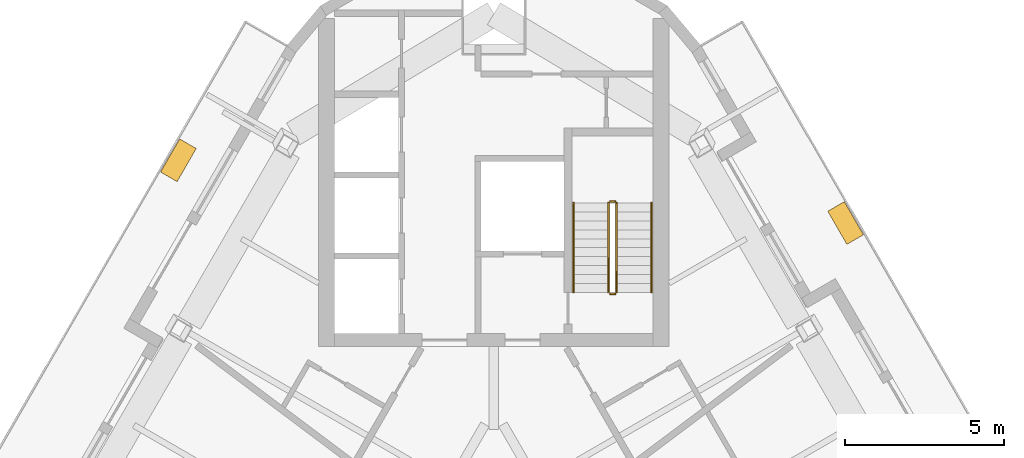
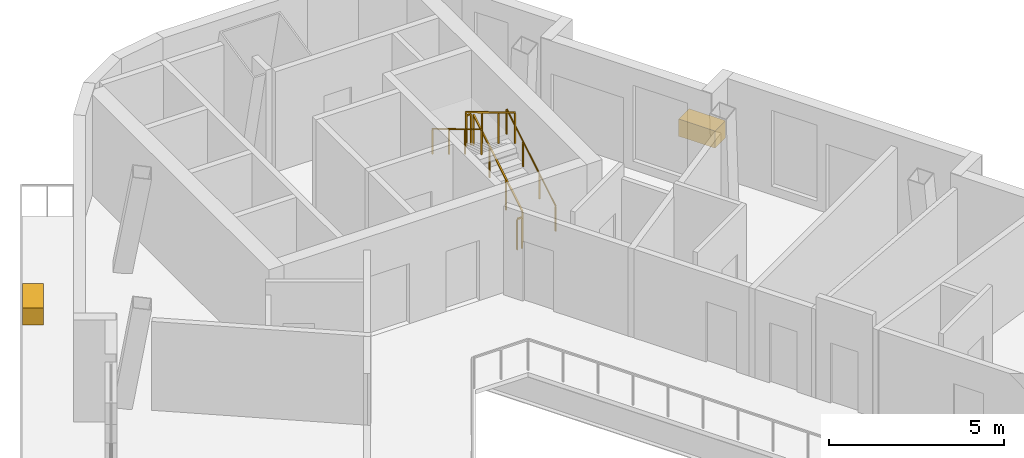
# One storey, part 11 of 11: 6 railings, 2 coverings.
"""IFC4 building model written with IfcOpenShell, lengths in metres."""

from ifc_helpers import new_model, si_unit, direction, frame, origin, origin_2d, place, context, subcontext, project, spatial, rectangle, circle, extrude, material, type_object, element, save


model = new_model("IFC4")

# Units and contexts
model_context = context("Model", 3, precision=1e-05, world=origin(), true_north=direction((0.0, 1.0)))
body_context = subcontext(model_context, "Body", "Model", "MODEL_VIEW")
ifc_project = project(units=[si_unit("LENGTHUNIT", "METRE"), si_unit("AREAUNIT", "SQUARE_METRE"), si_unit("VOLUMEUNIT", "CUBIC_METRE"), si_unit("PLANEANGLEUNIT", "RADIAN"), si_unit("MASSUNIT", "GRAM", prefix="KILO")], contexts=[model_context])

# Site, building, storey
site_placement = place(None, origin())
site = spatial("IfcSite", under=ifc_project, at=site_placement, CompositionType="ELEMENT")
building_placement = place(site_placement, origin())
building = spatial("IfcBuilding", under=site, at=building_placement, Name="Apuvela Tower Hotel", CompositionType="ELEMENT")
storey_placement = place(building_placement, frame((0.0, 0.0, 309.60009765625)))
storey = spatial("IfcBuildingStorey", under=building, at=storey_placement, Name="L77", CompositionType="ELEMENT", Elevation=309.60009765625)

# Railings
ifc_material_1 = material(Name="Steel S275 balustrade", Category="steel")
railing_type_1 = type_object("IfcRailingType", Name="COR-GUARD-1100", PredefinedType="GUARDRAIL", material=ifc_material_1)
railing_1_placement = place(storey_placement, frame((3.85009765625, 14.60009765625, 0.16796875)))
element("IfcRailing", 1, at=railing_1_placement, inside=storey, type_object=railing_type_1, Name="L77 ST1 stair guard 1", PredefinedType="GUARDRAIL", context=body_context, shape_type="SweptSolid", body=[
    extrude(rectangle(XDim=0.048095703125, YDim=0.048095703125, at=origin_2d()), frame((0.0, 0.0, 1.076171875), z_axis=(0.0, 0.857222391501, 0.514946377315), x_axis=(-1.0, 0.0, 0.0)), (0.0, 0.0, 1.0), 3.26611328125),
    extrude(rectangle(XDim=0.0419921875, YDim=0.0419921875, at=origin_2d()), origin(), (0.0, 0.0, 1.0), 1.052001953125),
    extrude(rectangle(XDim=0.0419921875, YDim=0.0419921875, at=origin_2d()), frame((0.0, 0.933349609375, 0.560546875)), (0.0, 0.0, 1.0), 1.052001953125),
    extrude(rectangle(XDim=0.0419921875, YDim=0.0419921875, at=origin_2d()), frame((0.0, 1.866455078125, 1.121337890625)), (0.0, 0.0, 1.0), 1.052001953125),
    extrude(rectangle(XDim=0.0419921875, YDim=0.0419921875, at=origin_2d()), frame((0.0, 2.7998046875, 1.681884765625)), (0.0, 0.0, 1.0), 1.052001953125),
])
railing_2_placement = place(storey_placement, frame((3.800048828125, 17.449951171875, 1.849853515625)))
element("IfcRailing", 2, at=railing_2_placement, inside=storey, type_object=railing_type_1, Name="L77 ST1 stair guard 2", PredefinedType="GUARDRAIL", context=body_context, shape_type="SweptSolid", body=[
    extrude(rectangle(XDim=0.048095703125, YDim=0.048095703125, at=origin_2d()), frame((0.0, 0.0, 1.076171875), z_axis=(-1.0, 0.0, 0.0), x_axis=(0.0, -1.0, 0.0)), (0.0, 0.0, 1.0), 0.150146484375),
    extrude(rectangle(XDim=0.0419921875, YDim=0.0419921875, at=origin_2d()), origin(), (0.0, 0.0, 1.0), 1.052001953125),
    extrude(rectangle(XDim=0.0419921875, YDim=0.0419921875, at=origin_2d()), frame((-0.150146484375, 0.0, 0.0)), (0.0, 0.0, 1.0), 1.052001953125),
])
railing_3_placement = place(storey_placement, frame((3.60009765625, 17.39990234375, 2.01806640625)))
element("IfcRailing", 3, at=railing_3_placement, inside=storey, type_object=railing_type_1, Name="L77 ST1 stair guard 3", PredefinedType="GUARDRAIL", context=body_context, shape_type="SweptSolid", body=[
    extrude(rectangle(XDim=0.048095703125, YDim=0.048095703125, at=origin_2d()), frame((0.0, 0.0, 1.076171875), z_axis=(0.0, -0.857222391501, 0.514946377315), x_axis=(1.0, 0.0, 0.0)), (0.0, 0.0, 1.0), 3.26611328125),
    extrude(rectangle(XDim=0.0419921875, YDim=0.0419921875, at=origin_2d()), origin(), (0.0, 0.0, 1.0), 1.052001953125),
    extrude(rectangle(XDim=0.0419921875, YDim=0.0419921875, at=origin_2d()), frame((0.0, -0.933349609375, 0.560546875)), (0.0, 0.0, 1.0), 1.052001953125),
    extrude(rectangle(XDim=0.0419921875, YDim=0.0419921875, at=origin_2d()), frame((0.0, -1.866455078125, 1.121337890625)), (0.0, 0.0, 1.0), 1.052001953125),
    extrude(rectangle(XDim=0.0419921875, YDim=0.0419921875, at=origin_2d()), frame((0.0, -2.7998046875, 1.681884765625)), (0.0, 0.0, 1.0), 1.052001953125),
])
railing_4_placement = place(storey_placement, frame((3.800048828125, 14.550048828125, 0.0)))
element("IfcRailing", 4, at=railing_4_placement, inside=storey, type_object=railing_type_1, Name="L77 ST1 stair guard 4", PredefinedType="GUARDRAIL", context=body_context, shape_type="SweptSolid", body=[
    extrude(rectangle(XDim=0.048095703125, YDim=0.048095703125, at=origin_2d()), frame((0.0, 0.0, 1.076171875), z_axis=(-1.0, 0.0, 0.0), x_axis=(0.0, -1.0, 0.0)), (0.0, 0.0, 1.0), 0.150146484375),
    extrude(rectangle(XDim=0.0419921875, YDim=0.0419921875, at=origin_2d()), origin(), (0.0, 0.0, 1.0), 1.052001953125),
    extrude(rectangle(XDim=0.0419921875, YDim=0.0419921875, at=origin_2d()), frame((-0.150146484375, 0.0, 0.0)), (0.0, 0.0, 1.0), 1.052001953125),
])
ifc_material_2 = material(Name="Stainless steel 316 handrail", Category="steel")
railing_type_2 = type_object("IfcRailingType", Name="COR-HANDRAIL-900", PredefinedType="HANDRAIL", material=ifc_material_2)
railing_5_placement = place(storey_placement, frame((4.949951171875, 14.60009765625, 0.16796875)))
element("IfcRailing", 5, at=railing_5_placement, inside=storey, type_object=railing_type_2, Name="L77 ST1 stair handrail 1", PredefinedType="HANDRAIL", context=body_context, shape_type="SweptSolid", body=[
    extrude(circle(Radius=0.02392578125, at=origin_2d()), frame((0.0, 0.0, 0.8759765625), z_axis=(0.0, 0.857222391501, 0.514946377315), x_axis=(-1.0, 0.0, 0.0)), (0.0, 0.0, 1.0), 3.26611328125),
    extrude(rectangle(XDim=0.0419921875, YDim=0.0419921875, at=origin_2d()), origin(), (0.0, 0.0, 1.0), 0.851806640625),
    extrude(rectangle(XDim=0.0419921875, YDim=0.0419921875, at=origin_2d()), frame((0.0, 0.933349609375, 0.560546875)), (0.0, 0.0, 1.0), 0.851806640625),
    extrude(rectangle(XDim=0.0419921875, YDim=0.0419921875, at=origin_2d()), frame((0.0, 1.866455078125, 1.121337890625)), (0.0, 0.0, 1.0), 0.851806640625),
    extrude(rectangle(XDim=0.0419921875, YDim=0.0419921875, at=origin_2d()), frame((0.0, 2.7998046875, 1.681884765625)), (0.0, 0.0, 1.0), 0.851806640625),
])
railing_6_placement = place(storey_placement, frame((2.5, 17.39990234375, 2.01806640625)))
element("IfcRailing", 6, at=railing_6_placement, inside=storey, type_object=railing_type_2, Name="L77 ST1 stair handrail 2", PredefinedType="HANDRAIL", context=body_context, shape_type="SweptSolid", body=[
    extrude(circle(Radius=0.02392578125, at=origin_2d()), frame((0.0, 0.0, 0.8759765625), z_axis=(0.0, -0.857222391501, 0.514946377315), x_axis=(1.0, 0.0, 0.0)), (0.0, 0.0, 1.0), 3.26611328125),
    extrude(rectangle(XDim=0.0419921875, YDim=0.0419921875, at=origin_2d()), origin(), (0.0, 0.0, 1.0), 0.851806640625),
    extrude(rectangle(XDim=0.0419921875, YDim=0.0419921875, at=origin_2d()), frame((0.0, -0.933349609375, 0.560546875)), (0.0, 0.0, 1.0), 0.851806640625),
    extrude(rectangle(XDim=0.0419921875, YDim=0.0419921875, at=origin_2d()), frame((0.0, -1.866455078125, 1.121337890625)), (0.0, 0.0, 1.0), 0.851806640625),
    extrude(rectangle(XDim=0.0419921875, YDim=0.0419921875, at=origin_2d()), frame((0.0, -2.7998046875, 1.681884765625)), (0.0, 0.0, 1.0), 0.851806640625),
])

# Coverings
ifc_material_3 = material(Name="Planting substrate and soil, planted")
covering_type = type_object("IfcCoveringType", Name="ENV-PLANTER-1200x600", PredefinedType="USERDEFINED", material=ifc_material_3)
for number, where, z_axis, x_axis, name in (
    (7, (11.035888671875, 16.774169921875, -0.000244140625), (0.0, 0.0, 1.0), (-0.5, 0.866025403784, 0.0), "Planter NE4"),
    (8, (-9.89990234375, 18.7421875, -0.000244140625), (0.0, 0.0, 1.0), (-0.5, -0.866025403784, 0.0), "Planter NW5"),
):
    element("IfcCovering", number, at=place(storey_placement, frame(where, z_axis=z_axis, x_axis=x_axis)), inside=storey, type_object=covering_type, Name=name, ObjectType="PLANTER", PredefinedType="USERDEFINED", context=body_context, shape_type="SweptSolid", body=[
        extrude(rectangle(XDim=1.199951171875, YDim=0.60009765625, at=origin_2d()), origin(), (0.0, 0.0, 1.0), 0.60009765625),
    ])

save(model, "model.ifc")
